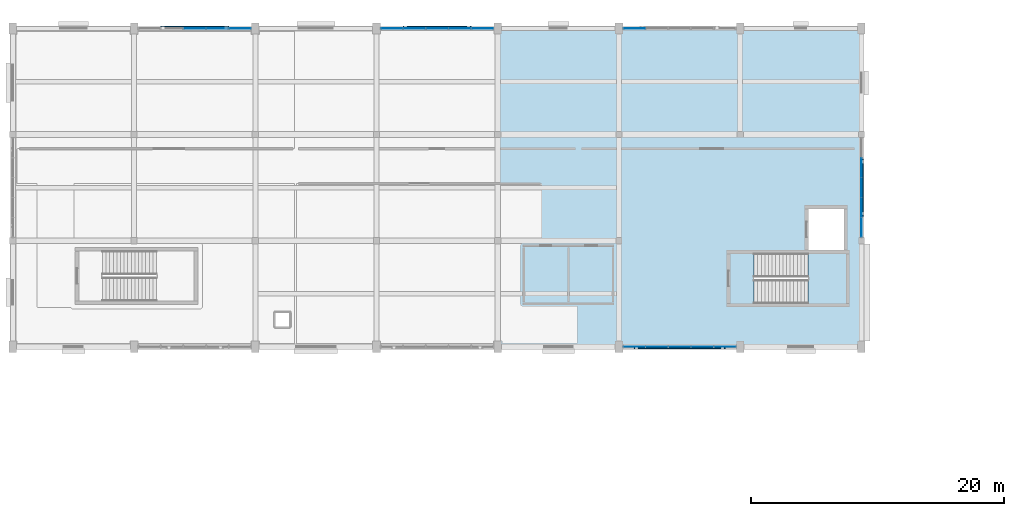
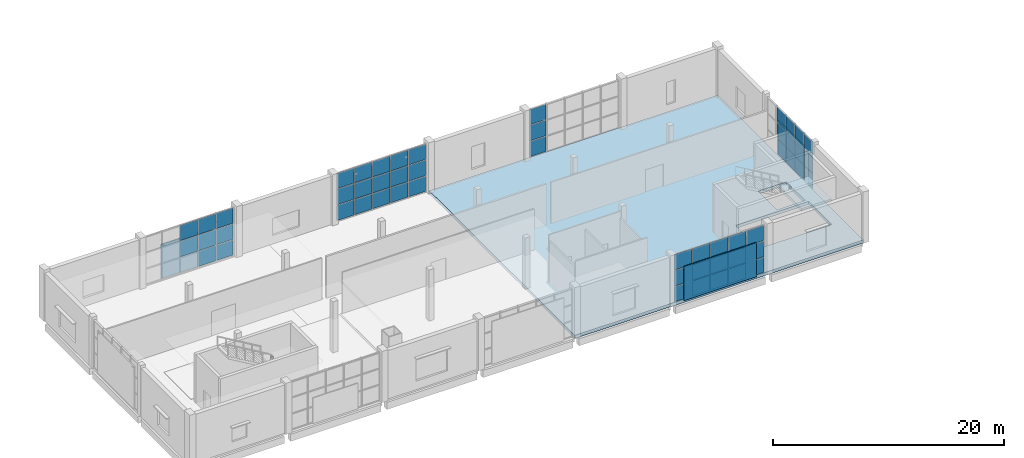
# One storey, part 40 of 72: 57 plates, 2 slabs, 6 elements without a shape of their own.
"""IFC4 building model written with IfcOpenShell, lengths in metres."""

from ifc_helpers import new_model, si_unit, direction, frame, origin, origin_2d, place, context, subcontext, project, spatial, polyline, rectangle, outline, extrude, material, layer, layer_set, type_object, element, aggregate, save


model = new_model("IFC4")

# Units and contexts
model_context = context("Model", 3, precision=1e-05, world=origin(), true_north=direction((0.0, 1.0)))
body_context = subcontext(model_context, "Body", "Model", "MODEL_VIEW")
ifc_project = project(units=[si_unit("LENGTHUNIT", "METRE"), si_unit("AREAUNIT", "SQUARE_METRE"), si_unit("VOLUMEUNIT", "CUBIC_METRE"), si_unit("PLANEANGLEUNIT", "RADIAN"), si_unit("MASSUNIT", "GRAM", prefix="KILO")], contexts=[model_context])

# Site, building, storey
site_placement = place(None, origin())
site = spatial("IfcSite", under=ifc_project, at=site_placement, CompositionType="ELEMENT")
building_placement = place(site_placement, origin())
building = spatial("IfcBuilding", under=site, at=building_placement, Name="Shalvenor Court Art Gallery", CompositionType="ELEMENT")
storey_placement = place(building_placement, frame((0.0, 0.0, 11.39990234375)))
storey = spatial("IfcBuildingStorey", under=building, at=storey_placement, Name="L02", CompositionType="ELEMENT", Elevation=11.39990234375)

# Curtain wall, plates
ifc_material_1 = material(Name="Anodised aluminium and low-iron glass curtain wall", Category="aluminium")
curtain_wall_type_1 = type_object("IfcCurtainWallType", Name="CW-5x3-90-51-112", PredefinedType="USERDEFINED", material=ifc_material_1)
curtain_wall_1_placement = place(storey_placement, origin())
curtain_wall_1 = element("IfcCurtainWall", 1, at=curtain_wall_1_placement, inside=storey, type_object=curtain_wall_type_1, Name="L02 V2 Curtain Wall CW-L02-072", ObjectType="CURTAIN WALL", PredefinedType="USERDEFINED")
ifc_material_2 = material(Name="Low-iron triple-silver solar gallery glazing IGU", Category="glass")
ifc_layer_1 = layer(ifc_material_2, 0.031982421875, Name="Low-iron triple-silver solar gallery glazing IGU")
ifc_layer_set_1 = layer_set([ifc_layer_1], Name="Low-iron triple-silver solar gallery glazing IGU")
plate_type_1 = type_object("IfcPlateType", Name="CWP-02", PredefinedType="CURTAIN_PANEL", material=ifc_layer_set_1)
plate_1_placement = place(storey_placement, frame((72.0, 122.39990234375, 1.72998046875), z_axis=(0.0, 0.0, 1.0), x_axis=(1.0, 0.0, 0.0)))
plate_1 = element("IfcPlate", 2, at=plate_1_placement, type_object=plate_type_1, Name="CW-5x3-90-51-112 panel 3.2", PredefinedType="CURTAIN_PANEL", context=body_context, shape_type="SweptSolid", body=[
    extrude(rectangle(XDim=1.735107421875, YDim=0.031982421875, at=origin_2d()), origin(), (0.0, 0.0, 1.0), 1.639892578125),
])
plate_2_placement = place(storey_placement, frame((72.0, 122.39990234375, 3.43017578125), z_axis=(0.0, 0.0, 1.0), x_axis=(1.0, 0.0, 0.0)))
plate_2 = element("IfcPlate", 3, at=plate_2_placement, type_object=plate_type_1, Name="CW-5x3-90-51-112 panel 3.3", PredefinedType="CURTAIN_PANEL", context=body_context, shape_type="SweptSolid", body=[
    extrude(rectangle(XDim=1.735107421875, YDim=0.031982421875, at=origin_2d()), origin(), (0.0, 0.0, 1.0), 1.610107421875),
])
plate_3_placement = place(storey_placement, frame((73.800048828125, 122.39990234375, 0.06005859375), z_axis=(0.0, 0.0, 1.0), x_axis=(1.0, 0.0, 0.0)))
plate_3 = element("IfcPlate", 4, at=plate_3_placement, type_object=plate_type_1, Name="CW-5x3-90-51-112 panel 4.1", PredefinedType="CURTAIN_PANEL", context=body_context, shape_type="SweptSolid", body=[
    extrude(rectangle(XDim=1.735107421875, YDim=0.031982421875, at=origin_2d()), origin(), (0.0, 0.0, 1.0), 1.610107421875),
])
plate_4_placement = place(storey_placement, frame((73.800048828125, 122.39990234375, 1.72998046875), z_axis=(0.0, 0.0, 1.0), x_axis=(1.0, 0.0, 0.0)))
plate_4 = element("IfcPlate", 5, at=plate_4_placement, type_object=plate_type_1, Name="CW-5x3-90-51-112 panel 4.2", PredefinedType="CURTAIN_PANEL", context=body_context, shape_type="SweptSolid", body=[
    extrude(rectangle(XDim=1.735107421875, YDim=0.031982421875, at=origin_2d()), origin(), (0.0, 0.0, 1.0), 1.639892578125),
])
plate_5_placement = place(storey_placement, frame((73.800048828125, 122.39990234375, 3.43017578125), z_axis=(0.0, 0.0, 1.0), x_axis=(1.0, 0.0, 0.0)))
plate_5 = element("IfcPlate", 6, at=plate_5_placement, type_object=plate_type_1, Name="CW-5x3-90-51-112 panel 4.3", PredefinedType="CURTAIN_PANEL", context=body_context, shape_type="SweptSolid", body=[
    extrude(rectangle(XDim=1.735107421875, YDim=0.031982421875, at=origin_2d()), origin(), (0.0, 0.0, 1.0), 1.610107421875),
])
plate_6_placement = place(storey_placement, frame((75.583740234375, 122.39990234375, 0.06005859375), z_axis=(0.0, 0.0, 1.0), x_axis=(1.0, 0.0, 0.0)))
plate_6 = element("IfcPlate", 7, at=plate_6_placement, type_object=plate_type_1, Name="CW-5x3-90-51-112 panel 5.1", PredefinedType="CURTAIN_PANEL", context=body_context, shape_type="SweptSolid", body=[
    extrude(rectangle(XDim=1.702392578125, YDim=0.031982421875, at=origin_2d()), origin(), (0.0, 0.0, 1.0), 1.610107421875),
])
plate_7_placement = place(storey_placement, frame((75.583740234375, 122.39990234375, 1.72998046875), z_axis=(0.0, 0.0, 1.0), x_axis=(1.0, 0.0, 0.0)))
plate_7 = element("IfcPlate", 8, at=plate_7_placement, type_object=plate_type_1, Name="CW-5x3-90-51-112 panel 5.2", PredefinedType="CURTAIN_PANEL", context=body_context, shape_type="SweptSolid", body=[
    extrude(rectangle(XDim=1.702392578125, YDim=0.031982421875, at=origin_2d()), origin(), (0.0, 0.0, 1.0), 1.639892578125),
])
plate_8_placement = place(storey_placement, frame((75.583740234375, 122.39990234375, 3.43017578125), z_axis=(0.0, 0.0, 1.0), x_axis=(1.0, 0.0, 0.0)))
plate_8 = element("IfcPlate", 9, at=plate_8_placement, type_object=plate_type_1, Name="CW-5x3-90-51-112 panel 5.3", PredefinedType="CURTAIN_PANEL", context=body_context, shape_type="SweptSolid", body=[
    extrude(rectangle(XDim=1.702392578125, YDim=0.031982421875, at=origin_2d()), origin(), (0.0, 0.0, 1.0), 1.610107421875),
])
aggregate(curtain_wall_1, [plate_1, plate_2, plate_3, plate_4, plate_5, plate_6, plate_7, plate_8])

ifc_material_3 = material(Name="Anodised aluminium and low-iron glass curtain wall", Category="aluminium")
curtain_wall_type_2 = type_object("IfcCurtainWallType", Name="CW-5x3-90-51-222", PredefinedType="USERDEFINED", material=ifc_material_3)
curtain_wall_2_placement = place(storey_placement, origin())
curtain_wall_2 = element("IfcCurtainWall", 10, at=curtain_wall_2_placement, inside=storey, type_object=curtain_wall_type_2, Name="L02 V2 Curtain Wall CW-L02-073", ObjectType="CURTAIN WALL", PredefinedType="USERDEFINED")
plate_9_placement = place(storey_placement, frame((87.617431640625, 122.39990234375, 0.065185546875), z_axis=(0.0, 0.0, 1.0), x_axis=(1.0, 0.0, 0.0)))
plate_9 = element("IfcPlate", 11, at=plate_9_placement, type_object=plate_type_1, Name="CW-5x3-90-51-222 panel 1.1", PredefinedType="CURTAIN_PANEL", context=body_context, shape_type="SweptSolid", body=[
    extrude(rectangle(XDim=1.695068359375, YDim=0.031982421875, at=origin_2d()), origin(), (0.0, 0.0, 1.0), 1.6025390625),
])
plate_10_placement = place(storey_placement, frame((87.617431640625, 122.39990234375, 1.732421875), z_axis=(0.0, 0.0, 1.0), x_axis=(1.0, 0.0, 0.0)))
plate_10 = element("IfcPlate", 12, at=plate_10_placement, type_object=plate_type_1, Name="CW-5x3-90-51-222 panel 1.2", PredefinedType="CURTAIN_PANEL", context=body_context, shape_type="SweptSolid", body=[
    extrude(rectangle(XDim=1.695068359375, YDim=0.031982421875, at=origin_2d()), origin(), (0.0, 0.0, 1.0), 1.635009765625),
])
plate_11_placement = place(storey_placement, frame((87.617431640625, 122.39990234375, 3.4326171875), z_axis=(0.0, 0.0, 1.0), x_axis=(1.0, 0.0, 0.0)))
plate_11 = element("IfcPlate", 13, at=plate_11_placement, type_object=plate_type_1, Name="CW-5x3-90-51-222 panel 1.3", PredefinedType="CURTAIN_PANEL", context=body_context, shape_type="SweptSolid", body=[
    extrude(rectangle(XDim=1.695068359375, YDim=0.031982421875, at=origin_2d()), origin(), (0.0, 0.0, 1.0), 1.6025390625),
])
plate_12_placement = place(storey_placement, frame((89.39990234375, 122.39990234375, 0.065185546875), z_axis=(0.0, 0.0, 1.0), x_axis=(1.0, 0.0, 0.0)))
plate_12 = element("IfcPlate", 14, at=plate_12_placement, type_object=plate_type_1, Name="CW-5x3-90-51-222 panel 2.1", PredefinedType="CURTAIN_PANEL", context=body_context, shape_type="SweptSolid", body=[
    extrude(rectangle(XDim=1.72998046875, YDim=0.031982421875, at=origin_2d()), origin(), (0.0, 0.0, 1.0), 1.6025390625),
])
plate_13_placement = place(storey_placement, frame((89.39990234375, 122.39990234375, 1.732421875), z_axis=(0.0, 0.0, 1.0), x_axis=(1.0, 0.0, 0.0)))
plate_13 = element("IfcPlate", 15, at=plate_13_placement, type_object=plate_type_1, Name="CW-5x3-90-51-222 panel 2.2", PredefinedType="CURTAIN_PANEL", context=body_context, shape_type="SweptSolid", body=[
    extrude(rectangle(XDim=1.72998046875, YDim=0.031982421875, at=origin_2d()), origin(), (0.0, 0.0, 1.0), 1.635009765625),
])
plate_14_placement = place(storey_placement, frame((89.39990234375, 122.39990234375, 3.4326171875), z_axis=(0.0, 0.0, 1.0), x_axis=(1.0, 0.0, 0.0)))
plate_14 = element("IfcPlate", 16, at=plate_14_placement, type_object=plate_type_1, Name="CW-5x3-90-51-222 panel 2.3", PredefinedType="CURTAIN_PANEL", context=body_context, shape_type="SweptSolid", body=[
    extrude(rectangle(XDim=1.72998046875, YDim=0.031982421875, at=origin_2d()), origin(), (0.0, 0.0, 1.0), 1.6025390625),
])
plate_15_placement = place(storey_placement, frame((91.199951171875, 122.39990234375, 0.065185546875), z_axis=(0.0, 0.0, 1.0), x_axis=(1.0, 0.0, 0.0)))
plate_15 = element("IfcPlate", 17, at=plate_15_placement, type_object=plate_type_1, Name="CW-5x3-90-51-222 panel 3.1", PredefinedType="CURTAIN_PANEL", context=body_context, shape_type="SweptSolid", body=[
    extrude(rectangle(XDim=1.72998046875, YDim=0.031982421875, at=origin_2d()), origin(), (0.0, 0.0, 1.0), 1.6025390625),
])
plate_16_placement = place(storey_placement, frame((91.199951171875, 122.39990234375, 1.732421875), z_axis=(0.0, 0.0, 1.0), x_axis=(1.0, 0.0, 0.0)))
plate_16 = element("IfcPlate", 18, at=plate_16_placement, type_object=plate_type_1, Name="CW-5x3-90-51-222 panel 3.2", PredefinedType="CURTAIN_PANEL", context=body_context, shape_type="SweptSolid", body=[
    extrude(rectangle(XDim=1.72998046875, YDim=0.031982421875, at=origin_2d()), origin(), (0.0, 0.0, 1.0), 1.635009765625),
])
plate_17_placement = place(storey_placement, frame((91.199951171875, 122.39990234375, 3.4326171875), z_axis=(0.0, 0.0, 1.0), x_axis=(1.0, 0.0, 0.0)))
plate_17 = element("IfcPlate", 19, at=plate_17_placement, type_object=plate_type_1, Name="CW-5x3-90-51-222 panel 3.3", PredefinedType="CURTAIN_PANEL", context=body_context, shape_type="SweptSolid", body=[
    extrude(rectangle(XDim=1.72998046875, YDim=0.031982421875, at=origin_2d()), origin(), (0.0, 0.0, 1.0), 1.6025390625),
])
plate_18_placement = place(storey_placement, frame((93.0, 122.39990234375, 0.065185546875), z_axis=(0.0, 0.0, 1.0), x_axis=(1.0, 0.0, 0.0)))
plate_18 = element("IfcPlate", 20, at=plate_18_placement, type_object=plate_type_1, Name="CW-5x3-90-51-222 panel 4.1", PredefinedType="CURTAIN_PANEL", context=body_context, shape_type="SweptSolid", body=[
    extrude(rectangle(XDim=1.72998046875, YDim=0.031982421875, at=origin_2d()), origin(), (0.0, 0.0, 1.0), 1.6025390625),
])
plate_19_placement = place(storey_placement, frame((93.0, 122.39990234375, 1.732421875), z_axis=(0.0, 0.0, 1.0), x_axis=(1.0, 0.0, 0.0)))
plate_19 = element("IfcPlate", 21, at=plate_19_placement, type_object=plate_type_1, Name="CW-5x3-90-51-222 panel 4.2", PredefinedType="CURTAIN_PANEL", context=body_context, shape_type="SweptSolid", body=[
    extrude(rectangle(XDim=1.72998046875, YDim=0.031982421875, at=origin_2d()), origin(), (0.0, 0.0, 1.0), 1.635009765625),
])
plate_20_placement = place(storey_placement, frame((93.0, 122.39990234375, 3.4326171875), z_axis=(0.0, 0.0, 1.0), x_axis=(1.0, 0.0, 0.0)))
plate_20 = element("IfcPlate", 22, at=plate_20_placement, type_object=plate_type_1, Name="CW-5x3-90-51-222 panel 4.3", PredefinedType="CURTAIN_PANEL", context=body_context, shape_type="SweptSolid", body=[
    extrude(rectangle(XDim=1.72998046875, YDim=0.031982421875, at=origin_2d()), origin(), (0.0, 0.0, 1.0), 1.6025390625),
])
plate_21_placement = place(storey_placement, frame((94.782470703125, 122.39990234375, 0.065185546875), z_axis=(0.0, 0.0, 1.0), x_axis=(1.0, 0.0, 0.0)))
plate_21 = element("IfcPlate", 23, at=plate_21_placement, type_object=plate_type_1, Name="CW-5x3-90-51-222 panel 5.1", PredefinedType="CURTAIN_PANEL", context=body_context, shape_type="SweptSolid", body=[
    extrude(rectangle(XDim=1.695068359375, YDim=0.031982421875, at=origin_2d()), origin(), (0.0, 0.0, 1.0), 1.6025390625),
])
plate_22_placement = place(storey_placement, frame((94.782470703125, 122.39990234375, 1.732421875), z_axis=(0.0, 0.0, 1.0), x_axis=(1.0, 0.0, 0.0)))
plate_22 = element("IfcPlate", 24, at=plate_22_placement, type_object=plate_type_1, Name="CW-5x3-90-51-222 panel 5.2", PredefinedType="CURTAIN_PANEL", context=body_context, shape_type="SweptSolid", body=[
    extrude(rectangle(XDim=1.695068359375, YDim=0.031982421875, at=origin_2d()), origin(), (0.0, 0.0, 1.0), 1.635009765625),
])
plate_23_placement = place(storey_placement, frame((94.782470703125, 122.39990234375, 3.4326171875), z_axis=(0.0, 0.0, 1.0), x_axis=(1.0, 0.0, 0.0)))
plate_23 = element("IfcPlate", 25, at=plate_23_placement, type_object=plate_type_1, Name="CW-5x3-90-51-222 panel 5.3", PredefinedType="CURTAIN_PANEL", context=body_context, shape_type="SweptSolid", body=[
    extrude(rectangle(XDim=1.695068359375, YDim=0.031982421875, at=origin_2d()), origin(), (0.0, 0.0, 1.0), 1.6025390625),
])
aggregate(curtain_wall_2, [plate_9, plate_10, plate_11, plate_12, plate_13, plate_14, plate_15, plate_16, plate_17, plate_18, plate_19, plate_20, plate_21, plate_22, plate_23])

ifc_material_4 = material(Name="Anodised aluminium and low-iron glass curtain wall", Category="aluminium")
curtain_wall_type_3 = type_object("IfcCurtainWallType", Name="CW-5x3-90-51-442", PredefinedType="USERDEFINED", material=ifc_material_4)
curtain_wall_3_placement = place(storey_placement, origin())
curtain_wall_3 = element("IfcCurtainWall", 26, at=curtain_wall_3_placement, inside=storey, type_object=curtain_wall_type_3, Name="L02 V2 Curtain Wall CW-L02-074", ObjectType="CURTAIN WALL", PredefinedType="USERDEFINED")
plate_24_placement = place(storey_placement, frame((106.81884765625, 122.39990234375, 0.0703125), z_axis=(0.0, 0.0, 1.0), x_axis=(1.0, 0.0, 0.0)))
plate_24 = element("IfcPlate", 27, at=plate_24_placement, type_object=plate_type_1, Name="CW-5x3-90-51-442 panel 1.1", PredefinedType="CURTAIN_PANEL", context=body_context, shape_type="SweptSolid", body=[
    extrude(rectangle(XDim=1.6875, YDim=0.031982421875, at=origin_2d()), origin(), (0.0, 0.0, 1.0), 1.594970703125),
])
plate_25_placement = place(storey_placement, frame((106.81884765625, 122.39990234375, 1.735107421875), z_axis=(0.0, 0.0, 1.0), x_axis=(1.0, 0.0, 0.0)))
plate_25 = element("IfcPlate", 28, at=plate_25_placement, type_object=plate_type_1, Name="CW-5x3-90-51-442 panel 1.2", PredefinedType="CURTAIN_PANEL", context=body_context, shape_type="SweptSolid", body=[
    extrude(rectangle(XDim=1.6875, YDim=0.031982421875, at=origin_2d()), origin(), (0.0, 0.0, 1.0), 1.6298828125),
])
plate_26_placement = place(storey_placement, frame((106.81884765625, 122.39990234375, 3.43505859375), z_axis=(0.0, 0.0, 1.0), x_axis=(1.0, 0.0, 0.0)))
plate_26 = element("IfcPlate", 29, at=plate_26_placement, type_object=plate_type_1, Name="CW-5x3-90-51-442 panel 1.3", PredefinedType="CURTAIN_PANEL", context=body_context, shape_type="SweptSolid", body=[
    extrude(rectangle(XDim=1.6875, YDim=0.031982421875, at=origin_2d()), origin(), (0.0, 0.0, 1.0), 1.594970703125),
])
aggregate(curtain_wall_3, [plate_24, plate_25, plate_26])

ifc_material_5 = material(Name="Anodised aluminium and low-iron glass curtain wall", Category="aluminium")
curtain_wall_type_4 = type_object("IfcCurtainWallType", Name="CW-5x3-79-51-612", PredefinedType="USERDEFINED", material=ifc_material_5)
curtain_wall_4_placement = place(storey_placement, origin())
curtain_wall_4 = element("IfcCurtainWall", 30, at=curtain_wall_4_placement, inside=storey, type_object=curtain_wall_type_4, Name="L02 V2 Curtain Wall CW-L02-075", ObjectType="CURTAIN WALL", PredefinedType="USERDEFINED")
plate_27_placement = place(storey_placement, frame((124.800048828125, 111.3798828125, 0.06005859375), z_axis=(0.0, 0.0, 1.0), x_axis=(0.0, -1.0, 0.0)))
plate_27 = element("IfcPlate", 31, at=plate_27_placement, type_object=plate_type_1, Name="CW-5x3-79-51-612 panel 2.1", PredefinedType="CURTAIN_PANEL", context=body_context, shape_type="SweptSolid", body=[
    extrude(rectangle(XDim=1.52490234375, YDim=0.031982421875, at=origin_2d()), origin(), (0.0, 0.0, 1.0), 1.610107421875),
])
plate_28_placement = place(storey_placement, frame((124.800048828125, 111.3798828125, 1.72998046875), z_axis=(0.0, 0.0, 1.0), x_axis=(0.0, -1.0, 0.0)))
plate_28 = element("IfcPlate", 32, at=plate_28_placement, type_object=plate_type_1, Name="CW-5x3-79-51-612 panel 2.2", PredefinedType="CURTAIN_PANEL", context=body_context, shape_type="SweptSolid", body=[
    extrude(rectangle(XDim=1.52490234375, YDim=0.031982421875, at=origin_2d()), origin(), (0.0, 0.0, 1.0), 1.639892578125),
])
plate_29_placement = place(storey_placement, frame((124.800048828125, 111.3798828125, 3.43017578125), z_axis=(0.0, 0.0, 1.0), x_axis=(0.0, -1.0, 0.0)))
plate_29 = element("IfcPlate", 33, at=plate_29_placement, type_object=plate_type_1, Name="CW-5x3-79-51-612 panel 2.3", PredefinedType="CURTAIN_PANEL", context=body_context, shape_type="SweptSolid", body=[
    extrude(rectangle(XDim=1.52490234375, YDim=0.031982421875, at=origin_2d()), origin(), (0.0, 0.0, 1.0), 1.610107421875),
])
plate_30_placement = place(storey_placement, frame((124.800048828125, 109.800048828125, 0.06005859375), z_axis=(0.0, 0.0, 1.0), x_axis=(0.0, -1.0, 0.0)))
plate_30 = element("IfcPlate", 34, at=plate_30_placement, type_object=plate_type_1, Name="CW-5x3-79-51-612 panel 3.1", PredefinedType="CURTAIN_PANEL", context=body_context, shape_type="SweptSolid", body=[
    extrude(rectangle(XDim=1.52490234375, YDim=0.031982421875, at=origin_2d()), origin(), (0.0, 0.0, 1.0), 1.610107421875),
])
plate_31_placement = place(storey_placement, frame((124.800048828125, 109.800048828125, 1.72998046875), z_axis=(0.0, 0.0, 1.0), x_axis=(0.0, -1.0, 0.0)))
plate_31 = element("IfcPlate", 35, at=plate_31_placement, type_object=plate_type_1, Name="CW-5x3-79-51-612 panel 3.2", PredefinedType="CURTAIN_PANEL", context=body_context, shape_type="SweptSolid", body=[
    extrude(rectangle(XDim=1.52490234375, YDim=0.031982421875, at=origin_2d()), origin(), (0.0, 0.0, 1.0), 1.639892578125),
])
plate_32_placement = place(storey_placement, frame((124.800048828125, 109.800048828125, 3.43017578125), z_axis=(0.0, 0.0, 1.0), x_axis=(0.0, -1.0, 0.0)))
plate_32 = element("IfcPlate", 36, at=plate_32_placement, type_object=plate_type_1, Name="CW-5x3-79-51-612 panel 3.3", PredefinedType="CURTAIN_PANEL", context=body_context, shape_type="SweptSolid", body=[
    extrude(rectangle(XDim=1.52490234375, YDim=0.031982421875, at=origin_2d()), origin(), (0.0, 0.0, 1.0), 1.610107421875),
])
plate_33_placement = place(storey_placement, frame((124.800048828125, 108.219970703125, 0.06005859375), z_axis=(0.0, 0.0, 1.0), x_axis=(0.0, -1.0, 0.0)))
plate_33 = element("IfcPlate", 37, at=plate_33_placement, type_object=plate_type_1, Name="CW-5x3-79-51-612 panel 4.1", PredefinedType="CURTAIN_PANEL", context=body_context, shape_type="SweptSolid", body=[
    extrude(rectangle(XDim=1.52490234375, YDim=0.031982421875, at=origin_2d()), origin(), (0.0, 0.0, 1.0), 1.610107421875),
])
plate_34_placement = place(storey_placement, frame((124.800048828125, 108.219970703125, 1.72998046875), z_axis=(0.0, 0.0, 1.0), x_axis=(0.0, -1.0, 0.0)))
plate_34 = element("IfcPlate", 38, at=plate_34_placement, type_object=plate_type_1, Name="CW-5x3-79-51-612 panel 4.2", PredefinedType="CURTAIN_PANEL", context=body_context, shape_type="SweptSolid", body=[
    extrude(rectangle(XDim=1.52490234375, YDim=0.031982421875, at=origin_2d()), origin(), (0.0, 0.0, 1.0), 1.639892578125),
])
plate_35_placement = place(storey_placement, frame((124.800048828125, 108.219970703125, 3.43017578125), z_axis=(0.0, 0.0, 1.0), x_axis=(0.0, -1.0, 0.0)))
plate_35 = element("IfcPlate", 39, at=plate_35_placement, type_object=plate_type_1, Name="CW-5x3-79-51-612 panel 4.3", PredefinedType="CURTAIN_PANEL", context=body_context, shape_type="SweptSolid", body=[
    extrude(rectangle(XDim=1.52490234375, YDim=0.031982421875, at=origin_2d()), origin(), (0.0, 0.0, 1.0), 1.610107421875),
])
plate_36_placement = place(storey_placement, frame((124.800048828125, 106.65380859375, 0.06005859375), z_axis=(0.0, 0.0, 1.0), x_axis=(0.0, -1.0, 0.0)))
plate_36 = element("IfcPlate", 40, at=plate_36_placement, type_object=plate_type_1, Name="CW-5x3-79-51-612 panel 5.1", PredefinedType="CURTAIN_PANEL", context=body_context, shape_type="SweptSolid", body=[
    extrude(rectangle(XDim=1.49755859375, YDim=0.031982421875, at=origin_2d()), origin(), (0.0, 0.0, 1.0), 1.610107421875),
])
plate_37_placement = place(storey_placement, frame((124.800048828125, 106.65380859375, 1.72998046875), z_axis=(0.0, 0.0, 1.0), x_axis=(0.0, -1.0, 0.0)))
plate_37 = element("IfcPlate", 41, at=plate_37_placement, type_object=plate_type_1, Name="CW-5x3-79-51-612 panel 5.2", PredefinedType="CURTAIN_PANEL", context=body_context, shape_type="SweptSolid", body=[
    extrude(rectangle(XDim=1.49755859375, YDim=0.031982421875, at=origin_2d()), origin(), (0.0, 0.0, 1.0), 1.639892578125),
])
plate_38_placement = place(storey_placement, frame((124.800048828125, 106.65380859375, 3.43017578125), z_axis=(0.0, 0.0, 1.0), x_axis=(0.0, -1.0, 0.0)))
plate_38 = element("IfcPlate", 42, at=plate_38_placement, type_object=plate_type_1, Name="CW-5x3-79-51-612 panel 5.3", PredefinedType="CURTAIN_PANEL", context=body_context, shape_type="SweptSolid", body=[
    extrude(rectangle(XDim=1.49755859375, YDim=0.031982421875, at=origin_2d()), origin(), (0.0, 0.0, 1.0), 1.610107421875),
])
aggregate(curtain_wall_4, [plate_27, plate_28, plate_29, plate_30, plate_31, plate_32, plate_33, plate_34, plate_35, plate_36, plate_37, plate_38])

ifc_material_6 = material(Name="Anodised aluminium and low-iron glass curtain wall", Category="aluminium")
curtain_wall_type_5 = type_object("IfcCurtainWallType", Name="CW-5x3-90-51-122", PredefinedType="USERDEFINED", material=ifc_material_6)
curtain_wall_5_placement = place(storey_placement, origin())
curtain_wall_5 = element("IfcCurtainWall", 43, at=curtain_wall_5_placement, inside=storey, type_object=curtain_wall_type_5, Name="L02 V2 Curtain Wall CW-L02-076", ObjectType="CURTAIN WALL", PredefinedType="USERDEFINED")
plate_39_placement = place(storey_placement, frame((113.983642578125, 97.199951171875, 0.065185546875), z_axis=(0.0, 0.0, 1.0), x_axis=(-1.0, 0.0, 0.0)))
plate_39 = element("IfcPlate", 44, at=plate_39_placement, type_object=plate_type_1, Name="CW-5x3-90-51-122 panel 1.1", PredefinedType="CURTAIN_PANEL", context=body_context, shape_type="SweptSolid", body=[
    extrude(rectangle(XDim=1.702392578125, YDim=0.031982421875, at=origin_2d()), origin(), (0.0, 0.0, 1.0), 1.6025390625),
])
plate_40_placement = place(storey_placement, frame((113.983642578125, 97.199951171875, 1.732421875), z_axis=(0.0, 0.0, 1.0), x_axis=(-1.0, 0.0, 0.0)))
plate_40 = element("IfcPlate", 45, at=plate_40_placement, type_object=plate_type_1, Name="CW-5x3-90-51-122 panel 1.2", PredefinedType="CURTAIN_PANEL", context=body_context, shape_type="SweptSolid", body=[
    extrude(rectangle(XDim=1.702392578125, YDim=0.031982421875, at=origin_2d()), origin(), (0.0, 0.0, 1.0), 1.635009765625),
])
plate_41_placement = place(storey_placement, frame((113.983642578125, 97.199951171875, 3.4326171875), z_axis=(0.0, 0.0, 1.0), x_axis=(-1.0, 0.0, 0.0)))
plate_41 = element("IfcPlate", 46, at=plate_41_placement, type_object=plate_type_1, Name="CW-5x3-90-51-122 panel 1.3", PredefinedType="CURTAIN_PANEL", context=body_context, shape_type="SweptSolid", body=[
    extrude(rectangle(XDim=1.702392578125, YDim=0.031982421875, at=origin_2d()), origin(), (0.0, 0.0, 1.0), 1.6025390625),
])
plate_42_placement = place(storey_placement, frame((112.199951171875, 97.199951171875, 0.065185546875), z_axis=(0.0, 0.0, 1.0), x_axis=(-1.0, 0.0, 0.0)))
plate_42 = element("IfcPlate", 47, at=plate_42_placement, type_object=plate_type_1, Name="CW-5x3-90-51-122 panel 2.1", PredefinedType="CURTAIN_PANEL", context=body_context, shape_type="SweptSolid", body=[
    extrude(rectangle(XDim=1.735107421875, YDim=0.031982421875, at=origin_2d()), origin(), (0.0, 0.0, 1.0), 1.6025390625),
])
plate_43_placement = place(storey_placement, frame((112.199951171875, 97.199951171875, 1.732421875), z_axis=(0.0, 0.0, 1.0), x_axis=(-1.0, 0.0, 0.0)))
plate_43 = element("IfcPlate", 48, at=plate_43_placement, type_object=plate_type_1, Name="CW-5x3-90-51-122 panel 2.2", PredefinedType="CURTAIN_PANEL", context=body_context, shape_type="SweptSolid", body=[
    extrude(rectangle(XDim=1.735107421875, YDim=0.031982421875, at=origin_2d()), origin(), (0.0, 0.0, 1.0), 1.635009765625),
])
plate_44_placement = place(storey_placement, frame((112.199951171875, 97.199951171875, 3.4326171875), z_axis=(0.0, 0.0, 1.0), x_axis=(-1.0, 0.0, 0.0)))
plate_44 = element("IfcPlate", 49, at=plate_44_placement, type_object=plate_type_1, Name="CW-5x3-90-51-122 panel 2.3", PredefinedType="CURTAIN_PANEL", context=body_context, shape_type="SweptSolid", body=[
    extrude(rectangle(XDim=1.735107421875, YDim=0.031982421875, at=origin_2d()), origin(), (0.0, 0.0, 1.0), 1.6025390625),
])
plate_45_placement = place(storey_placement, frame((110.39990234375, 97.199951171875, 0.065185546875), z_axis=(0.0, 0.0, 1.0), x_axis=(-1.0, 0.0, 0.0)))
plate_45 = element("IfcPlate", 50, at=plate_45_placement, type_object=plate_type_1, Name="CW-5x3-90-51-122 panel 3.1", PredefinedType="CURTAIN_PANEL", context=body_context, shape_type="SweptSolid", body=[
    extrude(rectangle(XDim=1.735107421875, YDim=0.031982421875, at=origin_2d()), origin(), (0.0, 0.0, 1.0), 1.6025390625),
])
plate_46_placement = place(storey_placement, frame((110.39990234375, 97.199951171875, 1.732421875), z_axis=(0.0, 0.0, 1.0), x_axis=(-1.0, 0.0, 0.0)))
plate_46 = element("IfcPlate", 51, at=plate_46_placement, type_object=plate_type_1, Name="CW-5x3-90-51-122 panel 3.2", PredefinedType="CURTAIN_PANEL", context=body_context, shape_type="SweptSolid", body=[
    extrude(rectangle(XDim=1.735107421875, YDim=0.031982421875, at=origin_2d()), origin(), (0.0, 0.0, 1.0), 1.635009765625),
])
plate_47_placement = place(storey_placement, frame((110.39990234375, 97.199951171875, 3.4326171875), z_axis=(0.0, 0.0, 1.0), x_axis=(-1.0, 0.0, 0.0)))
plate_47 = element("IfcPlate", 52, at=plate_47_placement, type_object=plate_type_1, Name="CW-5x3-90-51-122 panel 3.3", PredefinedType="CURTAIN_PANEL", context=body_context, shape_type="SweptSolid", body=[
    extrude(rectangle(XDim=1.735107421875, YDim=0.031982421875, at=origin_2d()), origin(), (0.0, 0.0, 1.0), 1.6025390625),
])
plate_48_placement = place(storey_placement, frame((108.60009765625, 97.199951171875, 0.065185546875), z_axis=(0.0, 0.0, 1.0), x_axis=(-1.0, 0.0, 0.0)))
plate_48 = element("IfcPlate", 53, at=plate_48_placement, type_object=plate_type_1, Name="CW-5x3-90-51-122 panel 4.1", PredefinedType="CURTAIN_PANEL", context=body_context, shape_type="SweptSolid", body=[
    extrude(rectangle(XDim=1.735107421875, YDim=0.031982421875, at=origin_2d()), origin(), (0.0, 0.0, 1.0), 1.6025390625),
])
plate_49_placement = place(storey_placement, frame((108.60009765625, 97.199951171875, 1.732421875), z_axis=(0.0, 0.0, 1.0), x_axis=(-1.0, 0.0, 0.0)))
plate_49 = element("IfcPlate", 54, at=plate_49_placement, type_object=plate_type_1, Name="CW-5x3-90-51-122 panel 4.2", PredefinedType="CURTAIN_PANEL", context=body_context, shape_type="SweptSolid", body=[
    extrude(rectangle(XDim=1.735107421875, YDim=0.031982421875, at=origin_2d()), origin(), (0.0, 0.0, 1.0), 1.635009765625),
])
plate_50_placement = place(storey_placement, frame((108.60009765625, 97.199951171875, 3.4326171875), z_axis=(0.0, 0.0, 1.0), x_axis=(-1.0, 0.0, 0.0)))
plate_50 = element("IfcPlate", 55, at=plate_50_placement, type_object=plate_type_1, Name="CW-5x3-90-51-122 panel 4.3", PredefinedType="CURTAIN_PANEL", context=body_context, shape_type="SweptSolid", body=[
    extrude(rectangle(XDim=1.735107421875, YDim=0.031982421875, at=origin_2d()), origin(), (0.0, 0.0, 1.0), 1.6025390625),
])
plate_51_placement = place(storey_placement, frame((106.816162109375, 97.199951171875, 0.065185546875), z_axis=(0.0, 0.0, 1.0), x_axis=(-1.0, 0.0, 0.0)))
plate_51 = element("IfcPlate", 56, at=plate_51_placement, type_object=plate_type_1, Name="CW-5x3-90-51-122 panel 5.1", PredefinedType="CURTAIN_PANEL", context=body_context, shape_type="SweptSolid", body=[
    extrude(rectangle(XDim=1.702392578125, YDim=0.031982421875, at=origin_2d()), origin(), (0.0, 0.0, 1.0), 1.6025390625),
])
plate_52_placement = place(storey_placement, frame((106.816162109375, 97.199951171875, 1.732421875), z_axis=(0.0, 0.0, 1.0), x_axis=(-1.0, 0.0, 0.0)))
plate_52 = element("IfcPlate", 57, at=plate_52_placement, type_object=plate_type_1, Name="CW-5x3-90-51-122 panel 5.2", PredefinedType="CURTAIN_PANEL", context=body_context, shape_type="SweptSolid", body=[
    extrude(rectangle(XDim=1.702392578125, YDim=0.031982421875, at=origin_2d()), origin(), (0.0, 0.0, 1.0), 1.635009765625),
])
plate_53_placement = place(storey_placement, frame((106.816162109375, 97.199951171875, 3.4326171875), z_axis=(0.0, 0.0, 1.0), x_axis=(-1.0, 0.0, 0.0)))
plate_53 = element("IfcPlate", 58, at=plate_53_placement, type_object=plate_type_1, Name="CW-5x3-90-51-122 panel 5.3", PredefinedType="CURTAIN_PANEL", context=body_context, shape_type="SweptSolid", body=[
    extrude(rectangle(XDim=1.702392578125, YDim=0.031982421875, at=origin_2d()), origin(), (0.0, 0.0, 1.0), 1.6025390625),
])
aggregate(curtain_wall_5, [plate_39, plate_40, plate_41, plate_42, plate_43, plate_44, plate_45, plate_46, plate_47, plate_48, plate_49, plate_50, plate_51, plate_52, plate_53])

# Slab
ifc_material_7 = material(Name="Concrete C40/50", Category="concrete")
ifc_layer_2 = layer(ifc_material_7, 0.320068359375, Name="Concrete C40/50")
ifc_layer_set_2 = layer_set([ifc_layer_2], Name="Concrete C40/50")
slab_type_1 = type_object("IfcSlabType", Name="FS-320", PredefinedType="FLOOR", material=ifc_layer_set_2)
slab_1_placement = place(storey_placement, frame((0.0, 0.0, -0.31982421875)))
element("IfcSlab", 59, at=slab_1_placement, inside=storey, type_object=slab_type_1, Name="L02 V2 Floor Slab 3", PredefinedType="FLOOR", context=body_context, shape_type="SweptSolid", body=[
    extrude(outline(polyline([(124.800048828125, 97.199951171875), (96.0, 97.199951171875), (96.0, 122.39990234375), (124.800048828125, 122.39990234375), (124.800048828125, 97.199951171875)]), holes=[polyline([(123.60009765625, 100.60009765625), (123.60009765625, 104.60009765625), (116.31103515625, 104.60009765625), (116.31103515625, 100.60009765625), (123.60009765625, 100.60009765625)]), polyline([(120.60009765625, 108.10009765625), (120.60009765625, 104.8720703125), (123.39990234375, 104.8720703125), (123.39990234375, 108.10009765625), (120.60009765625, 108.10009765625)])]), origin(), (0.0, 0.0, 1.0), 0.31982421875),
])

# Plates
ifc_material_8 = material(Name="Perforated pale limestone GRC lattice", Category="masonry")
ifc_layer_3 = layer(ifc_material_8, 0.090087890625, Name="Perforated pale limestone GRC lattice")
ifc_layer_set_3 = layer_set([ifc_layer_3], Name="Perforated pale limestone GRC lattice")
plate_type_2 = type_object("IfcPlateType", Name="SCR-02", PredefinedType="USERDEFINED", material=ifc_layer_set_3)
plate_54_placement = place(storey_placement, frame((124.9130859375, 109.800048828125, 0.0), z_axis=(0.0, 0.0, 1.0), x_axis=(0.0, -1.0, 0.0)))
element("IfcPlate", 60, at=plate_54_placement, inside=storey, type_object=plate_type_2, Name="L02 V2 Perforated Stone Lattice Screen PLT-SCR-0062", ObjectType="SCREEN", PredefinedType="USERDEFINED", context=body_context, shape_type="SweptSolid", body=[
    extrude(rectangle(XDim=4.5, YDim=0.090087890625, at=origin_2d()), origin(), (0.0, 0.0, 1.0), 3.60009765625),
])
ifc_material_9 = material(Name="Perforated pale limestone GRC lattice", Category="masonry")
ifc_layer_4 = layer(ifc_material_9, 0.090087890625, Name="Perforated pale limestone GRC lattice")
ifc_layer_set_4 = layer_set([ifc_layer_4], Name="Perforated pale limestone GRC lattice")
plate_type_3 = type_object("IfcPlateType", Name="SCR-03", PredefinedType="USERDEFINED", material=ifc_layer_set_4)
plate_55_placement = place(storey_placement, frame((72.0, 122.532958984375, 0.0), z_axis=(0.0, 0.0, 1.0), x_axis=(1.0, 0.0, 0.0)))
element("IfcPlate", 61, at=plate_55_placement, inside=storey, type_object=plate_type_3, Name="L02 V2 Perforated Stone Lattice Screen PLT-SCR-0059", ObjectType="SCREEN", PredefinedType="USERDEFINED", context=body_context, shape_type="SweptSolid", body=[
    extrude(rectangle(XDim=5.39990234375, YDim=0.090087890625, at=origin_2d()), origin(), (0.0, 0.0, 1.0), 3.60009765625),
])
ifc_material_10 = material(Name="Perforated pale limestone GRC lattice", Category="masonry")
ifc_layer_5 = layer(ifc_material_10, 0.090087890625, Name="Perforated pale limestone GRC lattice")
ifc_layer_set_5 = layer_set([ifc_layer_5], Name="Perforated pale limestone GRC lattice")
plate_type_4 = type_object("IfcPlateType", Name="SCR-04", PredefinedType="USERDEFINED", material=ifc_layer_set_5)
plate_56_placement = place(storey_placement, frame((91.199951171875, 122.54296875, 0.0), z_axis=(0.0, 0.0, 1.0), x_axis=(1.0, 0.0, 0.0)))
element("IfcPlate", 62, at=plate_56_placement, inside=storey, type_object=plate_type_4, Name="L02 V2 Perforated Stone Lattice Screen PLT-SCR-0060", ObjectType="SCREEN", PredefinedType="USERDEFINED", context=body_context, shape_type="SweptSolid", body=[
    extrude(rectangle(XDim=5.39990234375, YDim=0.090087890625, at=origin_2d()), origin(), (0.0, 0.0, 1.0), 4.5),
])
ifc_material_11 = material(Name="Perforated pale limestone GRC lattice", Category="masonry")
ifc_layer_6 = layer(ifc_material_11, 0.090087890625, Name="Perforated pale limestone GRC lattice")
ifc_layer_set_6 = layer_set([ifc_layer_6], Name="Perforated pale limestone GRC lattice")
plate_type_5 = type_object("IfcPlateType", Name="SCR-07", PredefinedType="USERDEFINED", material=ifc_layer_set_6)
plate_57_placement = place(storey_placement, frame((110.39990234375, 97.06689453125, 0.0), z_axis=(0.0, 0.0, 1.0), x_axis=(-1.0, 0.0, 0.0)))
element("IfcPlate", 63, at=plate_57_placement, inside=storey, type_object=plate_type_5, Name="L02 V2 Perforated Stone Lattice Screen PLT-SCR-0063", ObjectType="SCREEN", PredefinedType="USERDEFINED", context=body_context, shape_type="SweptSolid", body=[
    extrude(rectangle(XDim=7.199951171875, YDim=0.090087890625, at=origin_2d()), origin(), (0.0, 0.0, 1.0), 3.60009765625),
])

# Stair, slab
ifc_material_12 = material(Name="Concrete C40/50", Category="concrete")
stair_type = type_object("IfcStairType", Name="ST-DL-32R-1900", PredefinedType="HALF_TURN_STAIR", material=ifc_material_12)
stair_placement = place(storey_placement, origin())
stair = element("IfcStair", 64, at=stair_placement, inside=storey, type_object=stair_type, Name="L02 Core Dogleg Stair ST-05", PredefinedType="HALF_TURN_STAIR")
ifc_material_13 = material(Name="Concrete C40/50", Category="concrete")
ifc_layer_7 = layer(ifc_material_13, 0.300048828125, Name="Concrete C40/50")
ifc_layer_set_7 = layer_set([ifc_layer_7], Name="Concrete C40/50")
slab_type_2 = type_object("IfcSlabType", Name="SLD-300", PredefinedType="LANDING", material=ifc_layer_set_7)
slab_2_placement = place(storey_placement, frame((0.0, 0.0, 2.400146484375)))
slab_2 = element("IfcSlab", 65, at=slab_2_placement, type_object=slab_type_2, Name="ST-DL-32R-1900 landing 1", PredefinedType="LANDING", context=body_context, shape_type="SweptSolid", body=[
    extrude(outline(polyline([(120.574951171875, 100.60009765625), (123.60009765625, 100.60009765625), (123.60009765625, 104.60009765625), (120.574951171875, 104.60009765625), (120.574951171875, 100.60009765625)])), origin(), (0.0, 0.0, 1.0), 0.300048828125),
])
aggregate(stair, [slab_2])

save(model, "model.ifc")
